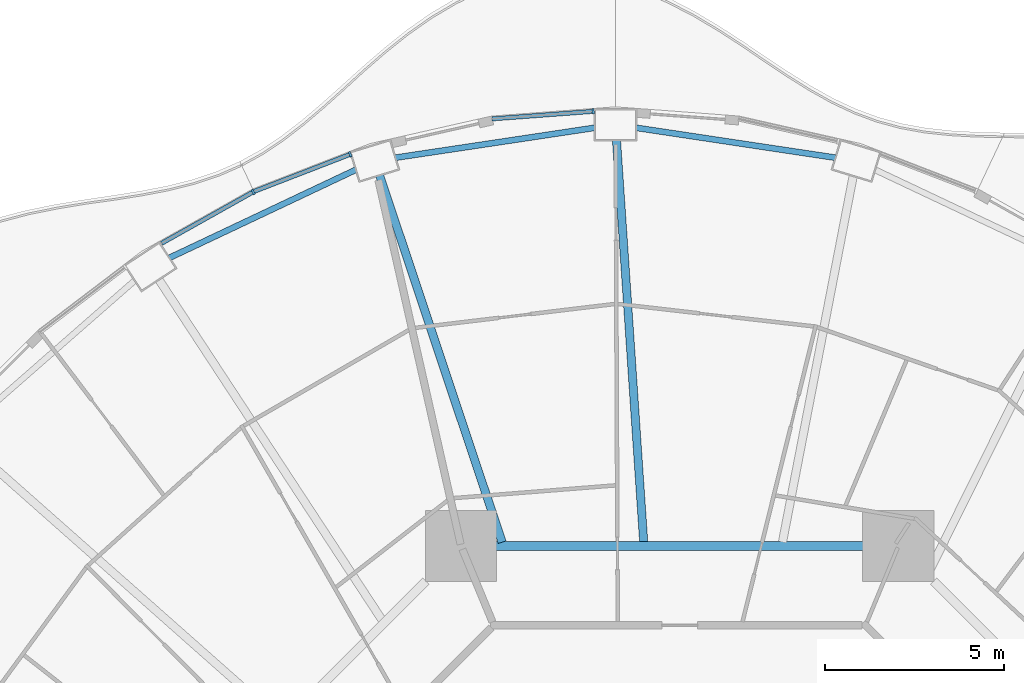
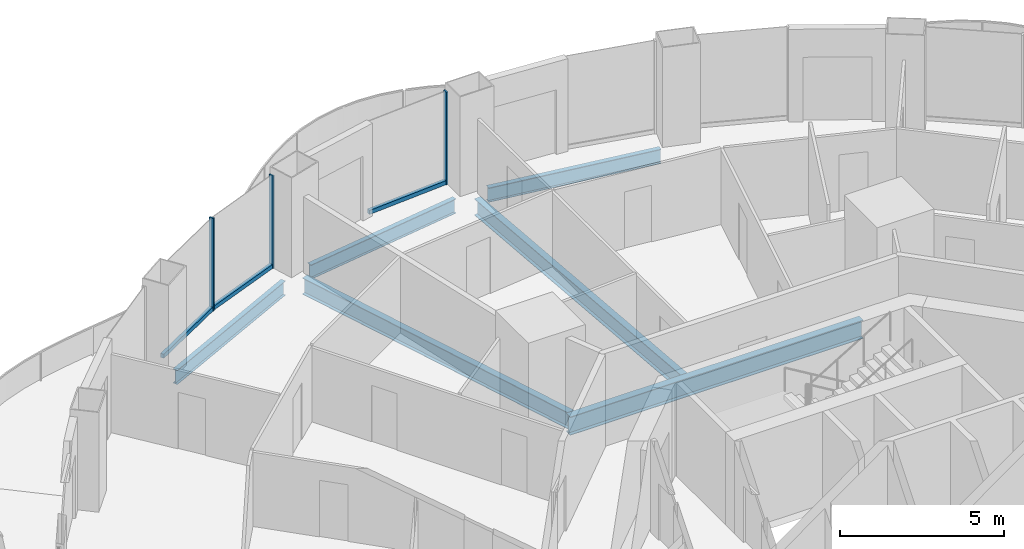
# One storey, part 8 of 21: 6 beams, 6 members, 3 elements without a shape of their own.
"""IFC4 building model written with IfcOpenShell, lengths in metres."""

from ifc_helpers import new_model, si_unit, direction, frame, origin, origin_2d, place, context, subcontext, project, spatial, rectangle, i_section, extrude, material, layer, layer_set, material_profile, profile_set, type_object, element, aggregate, save


model = new_model("IFC4")

# Units and contexts
model_context = context("Model", 3, precision=1e-05, world=origin(), true_north=direction((0.0, 1.0)))
body_context = subcontext(model_context, "Body", "Model", "MODEL_VIEW")
ifc_project = project(units=[si_unit("LENGTHUNIT", "METRE"), si_unit("AREAUNIT", "SQUARE_METRE"), si_unit("VOLUMEUNIT", "CUBIC_METRE"), si_unit("PLANEANGLEUNIT", "RADIAN"), si_unit("MASSUNIT", "GRAM", prefix="KILO")], contexts=[model_context])

# Site, building, storey
site_placement = place(None, origin())
site = spatial("IfcSite", under=ifc_project, at=site_placement, CompositionType="ELEMENT")
building_placement = place(site_placement, origin())
building = spatial("IfcBuilding", under=site, at=building_placement, Name="Nagisa Residences", CompositionType="ELEMENT")
storey_placement = place(building_placement, frame((0.0, 0.0, 134.39990234375)))
storey = spatial("IfcBuildingStorey", under=building, at=storey_placement, Name="L33", CompositionType="ELEMENT", Elevation=134.39990234375)

# Curtain wall, member
ifc_material_1 = material(Name="Concrete-coloured aluminium curtain wall system", Category="concrete")
ifc_layer = layer(ifc_material_1, 0.159912109375)
ifc_layer_set = layer_set([ifc_layer], Name="CW1 CURTAIN WALL")
curtain_wall_type = type_object("IfcCurtainWallType", Name="CW1 CURTAIN WALL", PredefinedType="NOTDEFINED", material=ifc_layer_set)
curtain_wall_1_placement = place(storey_placement, origin())
curtain_wall_1 = element("IfcCurtainWall", 1, at=curtain_wall_1_placement, inside=storey, type_object=curtain_wall_type, Name="cw:CW1:L33:12", PredefinedType="NOTDEFINED")
ifc_material_2 = material(Name="Concrete-coloured aluminium", Category="concrete")
ifc_material_profile_1 = material_profile(ifc_material_2, rectangle(XDim=0.159912109375, YDim=0.06005859375, at=origin_2d()), Name="CW1 MULLION 160x60")
ifc_profile_set_1 = profile_set([ifc_material_profile_1], Name="Concrete-coloured aluminium")
member_type_1 = type_object("IfcMemberType", Name="CW1 MULLION 160x60", PredefinedType="MULLION", material=ifc_profile_set_1)
member_1_placement = place(storey_placement, frame((-2.42236328125, 26.95068359375, 0.0), z_axis=(0.0, 0.0, 1.0), x_axis=(0.074377355493, -0.997230168512, 0.0)))
member_1 = element("IfcMember", 2, at=member_1_placement, type_object=member_type_1, Name="CW1 mullion", PredefinedType="MULLION", context=body_context, shape_type="SweptSolid", body=[
    extrude(rectangle(XDim=0.159912109375, YDim=0.06005859375, at=origin_2d()), origin(), (0.0, 0.0, 1.0), 3.440185546875),
])

curtain_wall_2_placement = place(storey_placement, origin())
curtain_wall_2 = element("IfcCurtainWall", 3, at=curtain_wall_2_placement, inside=storey, type_object=curtain_wall_type, Name="cw:CW1:L33:14", PredefinedType="NOTDEFINED")
member_2_placement = place(storey_placement, frame((-9.2265625, 25.746826171875, 0.0), z_axis=(0.0, 0.0, 1.0), x_axis=(0.360327770268, -0.932825759707, 0.0)))
member_2 = element("IfcMember", 4, at=member_2_placement, type_object=member_type_1, Name="CW1 mullion", PredefinedType="MULLION", context=body_context, shape_type="SweptSolid", body=[
    extrude(rectangle(XDim=0.159912109375, YDim=0.06005859375, at=origin_2d()), origin(), (0.0, 0.0, 1.0), 3.440185546875),
])

curtain_wall_3_placement = place(storey_placement, origin())
curtain_wall_3 = element("IfcCurtainWall", 5, at=curtain_wall_3_placement, inside=storey, type_object=curtain_wall_type, Name="cw:CW1:L33:15", PredefinedType="NOTDEFINED")
member_3_placement = place(storey_placement, frame((-11.94140625, 24.6943359375, 0.0), z_axis=(0.0, 0.0, 1.0), x_axis=(0.489376918501, -0.872072377523, 0.0)))
member_3 = element("IfcMember", 6, at=member_3_placement, type_object=member_type_1, Name="CW1 mullion", PredefinedType="MULLION", context=body_context, shape_type="SweptSolid", body=[
    extrude(rectangle(XDim=0.159912109375, YDim=0.06005859375, at=origin_2d()), origin(), (0.0, 0.0, 1.0), 3.440185546875),
])

# Member
ifc_material_3 = material(Name="Concrete-coloured aluminium", Category="concrete")
ifc_material_profile_2 = material_profile(ifc_material_3, rectangle(XDim=0.1201171875, YDim=0.14990234375, at=origin_2d()), Name="CW1 TRANSOM 120x150")
ifc_profile_set_2 = profile_set([ifc_material_profile_2], Name="Concrete-coloured aluminium")
member_type_2 = type_object("IfcMemberType", Name="CW1 TRANSOM 120x150", PredefinedType="USERDEFINED", material=ifc_profile_set_2)
member_4_placement = place(storey_placement, frame((-2.392333984375, 26.952880859375, 0.0751953125), z_axis=(-0.997232166829, -0.074350557769, 0.0), x_axis=(0.074350557769, -0.997232166829, 0.0)))
member_4 = element("IfcMember", 7, at=member_4_placement, type_object=member_type_2, Name="CW1 transom", ObjectType="TRANSOM", PredefinedType="USERDEFINED", context=body_context, shape_type="SweptSolid", body=[
    extrude(rectangle(XDim=0.1201171875, YDim=0.14990234375, at=origin_2d()), origin(), (0.0, 0.0, 1.0), 2.873291015625),
])

aggregate(curtain_wall_1, [member_1, member_4])

member_5_placement = place(storey_placement, frame((-9.19873046875, 25.757568359375, 0.0751953125), z_axis=(-0.932845344347, -0.360277064952, 0.0), x_axis=(0.360277064952, -0.932845344347, 0.0)))
member_5 = element("IfcMember", 8, at=member_5_placement, type_object=member_type_2, Name="CW1 transom", ObjectType="TRANSOM", PredefinedType="USERDEFINED", context=body_context, shape_type="SweptSolid", body=[
    extrude(rectangle(XDim=0.1201171875, YDim=0.14990234375, at=origin_2d()), origin(), (0.0, 0.0, 1.0), 2.92333984375),
])

aggregate(curtain_wall_2, [member_2, member_5])

member_6_placement = place(storey_placement, frame((-11.915283203125, 24.708984375, 0.0751953125), z_axis=(-0.872101969379, -0.489324181914, 0.0), x_axis=(0.489324181914, -0.872101969379, 0.0)))
member_6 = element("IfcMember", 9, at=member_6_placement, type_object=member_type_2, Name="CW1 transom", ObjectType="TRANSOM", PredefinedType="USERDEFINED", context=body_context, shape_type="SweptSolid", body=[
    extrude(rectangle(XDim=0.1201171875, YDim=0.14990234375, at=origin_2d()), origin(), (0.0, 0.0, 1.0), 2.9697265625),
])

aggregate(curtain_wall_3, [member_3, member_6])

# Beams
ifc_material_4 = material(Name="Steel ASTM A572 Gr 50", Category="steel")
ifc_material_profile_3 = material_profile(ifc_material_4, i_section(OverallWidth=0.25390625, OverallDepth=0.68408203125, WebThickness=0.012451171875, FlangeThickness=0.018798828125, at=origin_2d()), Name="W690x140")
ifc_profile_set_3 = profile_set([ifc_material_profile_3], Name="Steel ASTM A572 Gr 50")
beam_type_1 = type_object("IfcBeamType", Name="Inner ring beam W690x140", PredefinedType="BEAM", material=ifc_profile_set_3)
beam_1_placement = place(storey_placement, frame((5.142822265625, 14.781982421875, -0.601806640625), z_axis=(-1.0, 0.0, 0.0), x_axis=(0.0, -1.0, 0.0)))
element("IfcBeam", 10, at=beam_1_placement, inside=storey, type_object=beam_type_1, Name="beam:L33:ib2", PredefinedType="BEAM", context=body_context, shape_type="SweptSolid", body=[
    extrude(i_section(OverallWidth=0.25390625, OverallDepth=0.68408203125, WebThickness=0.012451171875, FlangeThickness=0.018798828125, at=origin_2d()), origin(), (0.0, 0.0, 1.0), 10.28564453125),
])
ifc_material_5 = material(Name="Steel ASTM A572 Gr 50", Category="steel")
ifc_material_profile_4 = material_profile(ifc_material_5, i_section(OverallWidth=0.166015625, OverallDepth=0.534912109375, WebThickness=0.01025390625, FlangeThickness=0.0166015625, at=origin_2d()), Name="W530x85")
ifc_profile_set_4 = profile_set([ifc_material_profile_4], Name="Steel ASTM A572 Gr 50")
beam_type_2 = type_object("IfcBeamType", Name="Perimeter ring beam W530x85", PredefinedType="BEAM", material=ifc_profile_set_4)
for number, where, z_axis, x_axis, name in (
    (11, (4.3583984375, 25.652587890625, -0.52734375), (-0.9889122118, 0.148501304214, 0.0), (-0.148501304214, -0.9889122118, 0.0), "beam:L33:pb06"),
    (12, (-2.380126953125, 26.490234375, -0.52734375), (-0.9889122118, -0.148501304214, 0.0), (0.148501304214, -0.9889122118, 0.0), "beam:L33:pb07"),
):
    element("IfcBeam", number, at=place(storey_placement, frame(where, z_axis=z_axis, x_axis=x_axis)), inside=storey, type_object=beam_type_2, Name=name, PredefinedType="BEAM", context=body_context, shape_type="SweptSolid", body=[
        extrude(i_section(OverallWidth=0.166015625, OverallDepth=0.534912109375, WebThickness=0.01025390625, FlangeThickness=0.0166015625, at=origin_2d()), origin(), (0.0, 0.0, 1.0), 5.640625),
    ])
beam_2_placement = place(storey_placement, frame((-9.068603515625, 25.31494140625, -0.52734375), z_axis=(-0.904169699539, -0.427173447719, 0.0), x_axis=(0.427173447719, -0.904169699539, 0.0)))
element("IfcBeam", 13, at=beam_2_placement, inside=storey, type_object=beam_type_2, Name="beam:L33:pb08", PredefinedType="BEAM", context=body_context, shape_type="SweptSolid", body=[
    extrude(i_section(OverallWidth=0.166015625, OverallDepth=0.534912109375, WebThickness=0.01025390625, FlangeThickness=0.0166015625, at=origin_2d()), origin(), (0.0, 0.0, 1.0), 5.7724609375),
])
ifc_material_6 = material(Name="Steel ASTM A572 Gr 50", Category="steel")
ifc_material_profile_5 = material_profile(ifc_material_6, i_section(OverallWidth=0.22900390625, OverallDepth=0.612060546875, WebThickness=0.011962890625, FlangeThickness=0.01953125, at=origin_2d()), Name="W610x125")
ifc_profile_set_5 = profile_set([ifc_material_profile_5], Name="Steel ASTM A572 Gr 50")
beam_type_3 = type_object("IfcBeamType", Name="Radial beam W610x125", PredefinedType="BEAM", material=ifc_profile_set_5)
beam_3_placement = place(storey_placement, frame((-1.77099609375, 26.147216796875, -0.56591796875), z_axis=(0.067591690418, -0.997713066661, 0.0), x_axis=(0.997713066661, 0.067591690418, 0.0)))
element("IfcBeam", 14, at=beam_3_placement, inside=storey, type_object=beam_type_3, Name="beam:L33:rb07", PredefinedType="BEAM", context=body_context, shape_type="SweptSolid", body=[
    extrude(i_section(OverallWidth=0.22900390625, OverallDepth=0.612060546875, WebThickness=0.011962890625, FlangeThickness=0.01953125, at=origin_2d()), origin(), (0.0, 0.0, 1.0), 11.283935546875),
])
beam_4_placement = place(storey_placement, frame((-8.402099609375, 25.157470703125, -0.56591796875), z_axis=(0.316789297789, -0.948495936104, 0.0), x_axis=(0.948495936104, 0.316789297789, 0.0)))
element("IfcBeam", 15, at=beam_4_placement, inside=storey, type_object=beam_type_3, Name="beam:L33:rb08", PredefinedType="BEAM", context=body_context, shape_type="SweptSolid", body=[
    extrude(i_section(OverallWidth=0.22900390625, OverallDepth=0.612060546875, WebThickness=0.011962890625, FlangeThickness=0.01953125, at=origin_2d()), origin(), (0.0, 0.0, 1.0), 10.824951171875),
])

save(model, "model.ifc")
